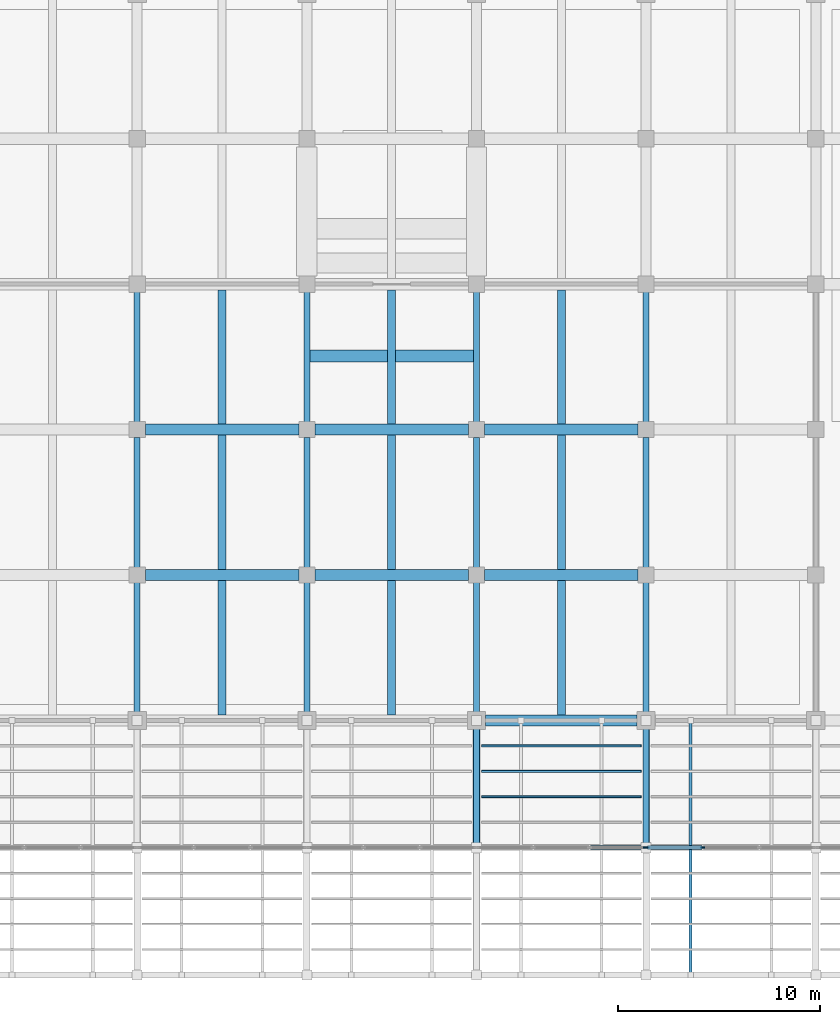
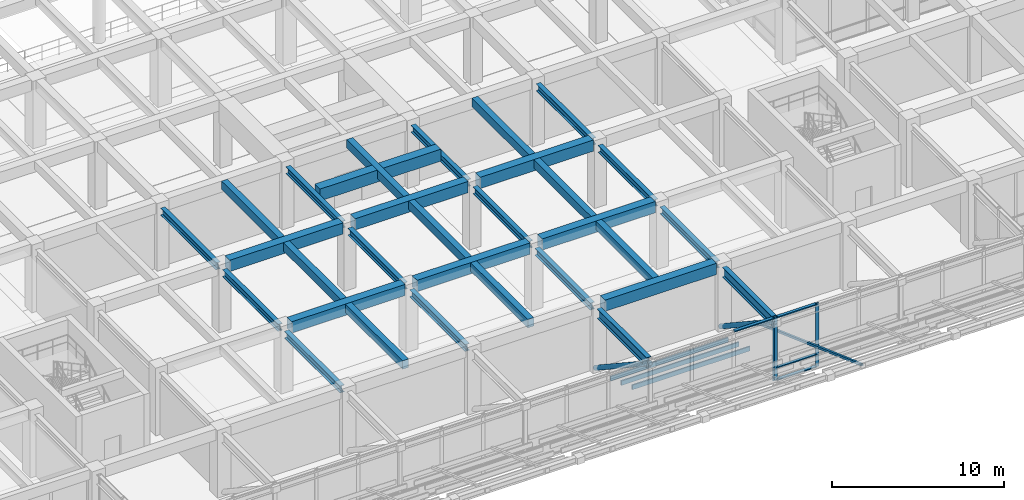
# One storey, part 12 of 52: 31 beams, 13 members, 2 elements without a shape of their own.
"""IFC4 building model written with IfcOpenShell, lengths in metres."""

from ifc_helpers import new_model, si_unit, direction, frame, origin, origin_2d, place, context, subcontext, project, spatial, rectangle, hollow_rectangle, hollow_circle, i_section, extrude, material, material_profile, profile_set, type_object, element, aggregate, save


model = new_model("IFC4")

# Units and contexts
model_context = context("Model", 3, precision=1e-05, world=origin(), true_north=direction((0.0, 1.0)))
body_context = subcontext(model_context, "Body", "Model", "MODEL_VIEW")
ifc_project = project(units=[si_unit("LENGTHUNIT", "METRE"), si_unit("AREAUNIT", "SQUARE_METRE"), si_unit("VOLUMEUNIT", "CUBIC_METRE"), si_unit("PLANEANGLEUNIT", "RADIAN"), si_unit("MASSUNIT", "GRAM", prefix="KILO")], contexts=[model_context])

# Site, building, storey
site_placement = place(None, origin())
site = spatial("IfcSite", under=ifc_project, at=site_placement, CompositionType="ELEMENT")
building_placement = place(site_placement, origin())
building = spatial("IfcBuilding", under=site, at=building_placement, Name="Kenerak Square Central Library", CompositionType="ELEMENT")
storey_placement = place(building_placement, frame((0.0, 0.0, 4.800048828125)))
storey = spatial("IfcBuildingStorey", under=building, at=storey_placement, Name="L01", CompositionType="ELEMENT", Elevation=4.800048828125)

# Beams
ifc_material_1 = material(Name="Steel S355", Category="steel")
ifc_material_profile_1 = material_profile(ifc_material_1, i_section(OverallWidth=0.300048828125, OverallDepth=0.5, WebThickness=0.014404296875, FlangeThickness=0.028076171875, FilletRadius=0.027099609375, at=origin_2d()), Name="HEB 500")
ifc_profile_set_1 = profile_set([ifc_material_profile_1], Name="Steel S355")
beam_type_1 = type_object("IfcBeamType", Name="Backspan Steel Girder SB-03 HEB 500 S355", PredefinedType="BEAM", material=ifc_profile_set_1)
for number, where, z_axis, x_axis, name in (
    (1, (75.199951171875, 17.179931640625, 4.14990234375), (0.0, 1.0, 0.0), (-1.0, 0.0, 0.0), "Overhang Backspan Tie Girder 3 L01 033"),
    (2, (75.199951171875, 24.3798828125, 4.14990234375), (0.0, 1.0, 0.0), (-1.0, 0.0, 0.0), "Overhang Backspan Tie Girder 3 L01 034"),
):
    element("IfcBeam", number, at=place(storey_placement, frame(where, z_axis=z_axis, x_axis=x_axis)), inside=storey, type_object=beam_type_1, Name=name, PredefinedType="BEAM", context=body_context, shape_type="SweptSolid", body=[
        extrude(i_section(OverallWidth=0.300048828125, OverallDepth=0.5, WebThickness=0.014404296875, FlangeThickness=0.028076171875, FilletRadius=0.027099609375, at=origin_2d()), origin(), (0.0, 0.0, 1.0), 6.440185546875),
    ])
beam_1_placement = place(storey_placement, frame((75.199951171875, 31.580078125, 4.14990234375), z_axis=(0.0, 1.0, 0.0), x_axis=(-1.0, 0.0, 0.0)))
element("IfcBeam", 3, at=beam_1_placement, inside=storey, type_object=beam_type_1, Name="Overhang Backspan Tie Girder 3 L01 035", PredefinedType="BEAM", context=body_context, shape_type="SweptSolid", body=[
    extrude(i_section(OverallWidth=0.300048828125, OverallDepth=0.5, WebThickness=0.014404296875, FlangeThickness=0.028076171875, FilletRadius=0.027099609375, at=origin_2d()), origin(), (0.0, 0.0, 1.0), 6.43994140625),
])
for number, where, z_axis, x_axis, name in (
    (4, (83.60009765625, 17.179931640625, 4.14990234375), (0.0, 1.0, 0.0), (-1.0, 0.0, 0.0), "Overhang Backspan Tie Girder 4 L01 049"),
    (5, (83.60009765625, 24.3798828125, 4.14990234375), (0.0, 1.0, 0.0), (-1.0, 0.0, 0.0), "Overhang Backspan Tie Girder 4 L01 050"),
):
    element("IfcBeam", number, at=place(storey_placement, frame(where, z_axis=z_axis, x_axis=x_axis)), inside=storey, type_object=beam_type_1, Name=name, PredefinedType="BEAM", context=body_context, shape_type="SweptSolid", body=[
        extrude(i_section(OverallWidth=0.300048828125, OverallDepth=0.5, WebThickness=0.014404296875, FlangeThickness=0.028076171875, FilletRadius=0.027099609375, at=origin_2d()), origin(), (0.0, 0.0, 1.0), 6.440185546875),
    ])
beam_2_placement = place(storey_placement, frame((83.60009765625, 31.580078125, 4.14990234375), z_axis=(0.0, 1.0, 0.0), x_axis=(-1.0, 0.0, 0.0)))
element("IfcBeam", 6, at=beam_2_placement, inside=storey, type_object=beam_type_1, Name="Overhang Backspan Tie Girder 4 L01 051", PredefinedType="BEAM", context=body_context, shape_type="SweptSolid", body=[
    extrude(i_section(OverallWidth=0.300048828125, OverallDepth=0.5, WebThickness=0.014404296875, FlangeThickness=0.028076171875, FilletRadius=0.027099609375, at=origin_2d()), origin(), (0.0, 0.0, 1.0), 6.43994140625),
])
for number, where, z_axis, x_axis, name in (
    (7, (92.0, 17.179931640625, 4.14990234375), (0.0, 1.0, 0.0), (-1.0, 0.0, 0.0), "Overhang Backspan Tie Girder 5 L01 065"),
    (8, (92.0, 24.3798828125, 4.14990234375), (0.0, 1.0, 0.0), (-1.0, 0.0, 0.0), "Overhang Backspan Tie Girder 5 L01 066"),
):
    element("IfcBeam", number, at=place(storey_placement, frame(where, z_axis=z_axis, x_axis=x_axis)), inside=storey, type_object=beam_type_1, Name=name, PredefinedType="BEAM", context=body_context, shape_type="SweptSolid", body=[
        extrude(i_section(OverallWidth=0.300048828125, OverallDepth=0.5, WebThickness=0.014404296875, FlangeThickness=0.028076171875, FilletRadius=0.027099609375, at=origin_2d()), origin(), (0.0, 0.0, 1.0), 6.440185546875),
    ])
beam_3_placement = place(storey_placement, frame((92.0, 31.580078125, 4.14990234375), z_axis=(0.0, 1.0, 0.0), x_axis=(-1.0, 0.0, 0.0)))
element("IfcBeam", 9, at=beam_3_placement, inside=storey, type_object=beam_type_1, Name="Overhang Backspan Tie Girder 5 L01 067", PredefinedType="BEAM", context=body_context, shape_type="SweptSolid", body=[
    extrude(i_section(OverallWidth=0.300048828125, OverallDepth=0.5, WebThickness=0.014404296875, FlangeThickness=0.028076171875, FilletRadius=0.027099609375, at=origin_2d()), origin(), (0.0, 0.0, 1.0), 6.43994140625),
])
for number, where, z_axis, x_axis, name in (
    (10, (100.39990234375, 17.179931640625, 4.14990234375), (0.0, 1.0, 0.0), (-1.0, 0.0, 0.0), "Overhang Backspan Tie Girder 6 L01 081"),
    (11, (100.39990234375, 24.3798828125, 4.14990234375), (0.0, 1.0, 0.0), (-1.0, 0.0, 0.0), "Overhang Backspan Tie Girder 6 L01 082"),
):
    element("IfcBeam", number, at=place(storey_placement, frame(where, z_axis=z_axis, x_axis=x_axis)), inside=storey, type_object=beam_type_1, Name=name, PredefinedType="BEAM", context=body_context, shape_type="SweptSolid", body=[
        extrude(i_section(OverallWidth=0.300048828125, OverallDepth=0.5, WebThickness=0.014404296875, FlangeThickness=0.028076171875, FilletRadius=0.027099609375, at=origin_2d()), origin(), (0.0, 0.0, 1.0), 6.440185546875),
    ])
beam_4_placement = place(storey_placement, frame((100.39990234375, 31.580078125, 4.14990234375), z_axis=(0.0, 1.0, 0.0), x_axis=(-1.0, 0.0, 0.0)))
element("IfcBeam", 12, at=beam_4_placement, inside=storey, type_object=beam_type_1, Name="Overhang Backspan Tie Girder 6 L01 083", PredefinedType="BEAM", context=body_context, shape_type="SweptSolid", body=[
    extrude(i_section(OverallWidth=0.300048828125, OverallDepth=0.5, WebThickness=0.014404296875, FlangeThickness=0.028076171875, FilletRadius=0.027099609375, at=origin_2d()), origin(), (0.0, 0.0, 1.0), 6.43994140625),
])

# Members
ifc_material_2 = material(Name="Chengal hardwood timber SG1", Category="wood")
ifc_material_profile_2 = material_profile(ifc_material_2, rectangle(XDim=0.090087890625, YDim=0.320068359375, at=origin_2d()), Name="CHENGAL 90x320")
ifc_profile_set_2 = profile_set([ifc_material_profile_2], Name="Chengal hardwood timber SG1")
member_type_1 = type_object("IfcMemberType", Name="Chengal Timber Louvre Blade CL-01 90x320", PredefinedType="USERDEFINED", material=ifc_profile_set_2)
for number, where, z_axis, x_axis, name in (
    (13, (92.25, 15.5400390625, -0.0849609375), (1.0, 0.0, 0.0), (0.0, 1.0, 0.0), "Chengal Soffit Louvre Blade CL-01 0047"),
    (14, (92.25, 14.280029296875, 0.369873046875), (1.0, 0.0, 0.0), (0.0, 1.0, 0.0), "Chengal Soffit Louvre Blade CL-01 0048"),
    (15, (92.25, 13.02001953125, 0.824951171875), (1.0, 0.0, 0.0), (0.0, 1.0, 0.0), "Chengal Soffit Louvre Blade CL-01 0049"),
):
    element("IfcMember", number, at=place(storey_placement, frame(where, z_axis=z_axis, x_axis=x_axis)), inside=storey, type_object=member_type_1, Name=name, ObjectType="LOUVRE BLADE", PredefinedType="USERDEFINED", context=body_context, shape_type="SweptSolid", body=[
        extrude(rectangle(XDim=0.090087890625, YDim=0.320068359375, at=origin_2d()), origin(), (0.0, 0.0, 1.0), 7.89990234375),
    ])

# Curtain wall, members
ifc_material_3 = material(Name="Anodised aluminium and solar-control low-E glazing", Category="aluminium")
curtain_wall_type = type_object("IfcCurtainWallType", Name="Curtain Wall CW-V1-84x45 8400x4500", PredefinedType="USERDEFINED", material=ifc_material_3)
curtain_wall_1_placement = place(storey_placement, origin())
curtain_wall_1 = element("IfcCurtainWall", 16, at=curtain_wall_1_placement, inside=storey, type_object=curtain_wall_type, Name="Curtain Wall CW-V1-84x45 L01 0049", ObjectType="CURTAIN WALL", PredefinedType="USERDEFINED")
ifc_material_4 = material(Name="Anodised aluminium 6063-T6", Category="aluminium")
ifc_material_profile_3 = material_profile(ifc_material_4, rectangle(XDim=0.074951171875, YDim=0.219970703125, at=origin_2d()), Name="AL MULLION 75x220")
ifc_profile_set_3 = profile_set([ifc_material_profile_3], Name="Anodised aluminium 6063-T6")
member_type_2 = type_object("IfcMemberType", Name="Curtain Mullion CM-02 75x220", PredefinedType="MULLION", material=ifc_profile_set_3)
member_1_placement = place(storey_placement, frame((103.199951171875, 10.5, 0.0), z_axis=(0.0, 0.0, 1.0), x_axis=(0.0, -1.0, 0.0)))
member_1 = element("IfcMember", 17, at=member_1_placement, type_object=member_type_2, Name="CW-V1-84x45 Mullion 3", PredefinedType="MULLION", context=body_context, shape_type="SweptSolid", body=[
    extrude(rectangle(XDim=0.074951171875, YDim=0.219970703125, at=origin_2d()), origin(), (0.0, 0.0, 1.0), 4.5),
])
member_2_placement = place(storey_placement, frame((100.4375, 10.5, 0.0), z_axis=(0.0, 0.0, 1.0), x_axis=(0.0, -1.0, 0.0)))
member_2 = element("IfcMember", 18, at=member_2_placement, type_object=member_type_2, Name="CW-V1-84x45 Mullion 4", PredefinedType="MULLION", context=body_context, shape_type="SweptSolid", body=[
    extrude(rectangle(XDim=0.074951171875, YDim=0.219970703125, at=origin_2d()), origin(), (0.0, 0.0, 1.0), 4.5),
])

# Curtain wall, member
curtain_wall_2_placement = place(storey_placement, origin())
curtain_wall_2 = element("IfcCurtainWall", 19, at=curtain_wall_2_placement, inside=storey, type_object=curtain_wall_type, Name="Curtain Wall CW-V1-84x45 L01 0050", ObjectType="CURTAIN WALL", PredefinedType="USERDEFINED")
member_3_placement = place(storey_placement, frame((100.362548828125, 10.5, 0.0), z_axis=(0.0, 0.0, 1.0), x_axis=(0.0, -1.0, 0.0)))
member_3 = element("IfcMember", 20, at=member_3_placement, type_object=member_type_2, Name="CW-V1-84x45 Mullion 1", PredefinedType="MULLION", context=body_context, shape_type="SweptSolid", body=[
    extrude(rectangle(XDim=0.074951171875, YDim=0.219970703125, at=origin_2d()), origin(), (0.0, 0.0, 1.0), 4.5),
])

# Member
ifc_material_profile_4 = material_profile(ifc_material_4, rectangle(XDim=0.199951171875, YDim=0.074951171875, at=origin_2d()), Name="AL TRANSOM 200x75")
ifc_profile_set_4 = profile_set([ifc_material_profile_4], Name="Anodised aluminium 6063-T6")
member_type_3 = type_object("IfcMemberType", Name="Curtain Transom CT-12 200x75", PredefinedType="USERDEFINED", material=ifc_profile_set_4)
member_4_placement = place(storey_placement, frame((103.16259765625, 10.5, 0.037353515625), z_axis=(-1.0, 0.0, 0.0), x_axis=(0.0, -1.0, 0.0)))
member_4 = element("IfcMember", 21, at=member_4_placement, type_object=member_type_3, Name="CW-V1-84x45 Transom 3.1", ObjectType="TRANSOM", PredefinedType="USERDEFINED", context=body_context, shape_type="SweptSolid", body=[
    extrude(rectangle(XDim=0.199951171875, YDim=0.074951171875, at=origin_2d()), origin(), (0.0, 0.0, 1.0), 2.6875),
])

member_5_placement = place(storey_placement, frame((103.16259765625, 10.5, 0.89990234375), z_axis=(-1.0, 0.0, 0.0), x_axis=(0.0, -1.0, 0.0)))
member_5 = element("IfcMember", 22, at=member_5_placement, type_object=member_type_3, Name="CW-V1-84x45 Transom 3.2", ObjectType="TRANSOM", PredefinedType="USERDEFINED", context=body_context, shape_type="SweptSolid", body=[
    extrude(rectangle(XDim=0.199951171875, YDim=0.074951171875, at=origin_2d()), origin(), (0.0, 0.0, 1.0), 2.6875),
])

member_6_placement = place(storey_placement, frame((103.16259765625, 10.5, 4.46240234375), z_axis=(-1.0, 0.0, 0.0), x_axis=(0.0, -1.0, 0.0)))
member_6 = element("IfcMember", 23, at=member_6_placement, type_object=member_type_3, Name="CW-V1-84x45 Transom 3.3", ObjectType="TRANSOM", PredefinedType="USERDEFINED", context=body_context, shape_type="SweptSolid", body=[
    extrude(rectangle(XDim=0.199951171875, YDim=0.074951171875, at=origin_2d()), origin(), (0.0, 0.0, 1.0), 2.6875),
])

aggregate(curtain_wall_1, [member_1, member_2, member_4, member_5, member_6])

member_7_placement = place(storey_placement, frame((100.324951171875, 10.5, 4.46240234375), z_axis=(-1.0, 0.0, 0.0), x_axis=(0.0, -1.0, 0.0)))
member_7 = element("IfcMember", 24, at=member_7_placement, type_object=member_type_3, Name="CW-V1-84x45 Transom 1.3", ObjectType="TRANSOM", PredefinedType="USERDEFINED", context=body_context, shape_type="SweptSolid", body=[
    extrude(rectangle(XDim=0.199951171875, YDim=0.074951171875, at=origin_2d()), origin(), (0.0, 0.0, 1.0), 2.6875),
])

aggregate(curtain_wall_2, [member_3, member_7])

# Beams
ifc_material_profile_5 = material_profile(ifc_material_1, i_section(OverallWidth=0.300048828125, OverallDepth=0.699951171875, WebThickness=0.01708984375, FlangeThickness=0.031982421875, FilletRadius=0.027099609375, at=origin_2d()), Name="HEB 700")
ifc_profile_set_5 = profile_set([ifc_material_profile_5], Name="Steel S355")
beam_type_2 = type_object("IfcBeamType", Name="Overhang Truss Top Chord SB-01 HEB 700 S355", PredefinedType="BEAM", material=ifc_profile_set_5)
for number, where, z_axis, x_axis, name in (
    (25, (92.0, 10.6201171875, 4.14990234375), (0.0, 1.0, 0.0), (-1.0, 0.0, 0.0), "Wall-Truss Chord 5 L01 068"),
    (26, (100.39990234375, 10.6201171875, 4.14990234375), (0.0, 1.0, 0.0), (-1.0, 0.0, 0.0), "Wall-Truss Chord 6 L01 084"),
):
    element("IfcBeam", number, at=place(storey_placement, frame(where, z_axis=z_axis, x_axis=x_axis)), inside=storey, type_object=beam_type_2, Name=name, PredefinedType="BEAM", context=body_context, shape_type="SweptSolid", body=[
        extrude(i_section(OverallWidth=0.300048828125, OverallDepth=0.699951171875, WebThickness=0.01708984375, FlangeThickness=0.031982421875, FilletRadius=0.027099609375, at=origin_2d()), origin(), (0.0, 0.0, 1.0), 5.77978515625),
    ])
ifc_material_5 = material(Name="Concrete C40/50", Category="concrete")
ifc_material_profile_6 = material_profile(ifc_material_5, rectangle(XDim=0.60009765625, YDim=0.85009765625, at=origin_2d()), Name="RC 600x850")
ifc_profile_set_6 = profile_set([ifc_material_profile_6], Name="Concrete C40/50")
beam_type_3 = type_object("IfcBeamType", Name="Primary Hall Girder B-03 RC 600x850 C40/50", PredefinedType="BEAM", material=ifc_profile_set_6)
beam_5_placement = place(storey_placement, frame((83.75, 34.85009765625, 4.375), z_axis=(1.0, 0.0, 0.0), x_axis=(0.0, 1.0, 0.0)))
element("IfcBeam", 27, at=beam_5_placement, inside=storey, type_object=beam_type_3, Name="Feature Stair ST-F2 Threshold Girder B-03", PredefinedType="BEAM", context=body_context, shape_type="SweptSolid", body=[
    extrude(rectangle(XDim=0.60009765625, YDim=0.85009765625, at=origin_2d()), origin(), (0.0, 0.0, 1.0), 8.10009765625),
])
ifc_material_profile_7 = material_profile(ifc_material_5, rectangle(XDim=0.550048828125, YDim=0.800048828125, at=origin_2d()), Name="RC 550x800")
ifc_profile_set_7 = profile_set([ifc_material_profile_7], Name="Concrete C40/50")
beam_type_4 = type_object("IfcBeamType", Name="Primary Reading Beam B-04 RC 550x800 C40/50", PredefinedType="BEAM", material=ifc_profile_set_7)
beam_6_placement = place(storey_placement, frame((92.449951171875, 16.800048828125, 4.39990234375), z_axis=(1.0, 0.0, 0.0), x_axis=(0.0, 1.0, 0.0)))
element("IfcBeam", 28, at=beam_6_placement, inside=storey, type_object=beam_type_4, Name="Beam B-04 L01 0865", PredefinedType="BEAM", context=body_context, shape_type="SweptSolid", body=[
    extrude(rectangle(XDim=0.550048828125, YDim=0.800048828125, at=origin_2d()), origin(), (0.0, 0.0, 1.0), 7.5),
])
beam_7_placement = place(storey_placement, frame((75.60009765625, 24.0, 4.39990234375), z_axis=(1.0, 0.0, 0.0), x_axis=(0.0, 1.0, 0.0)))
element("IfcBeam", 29, at=beam_7_placement, inside=storey, type_object=beam_type_4, Name="Beam B-04 L01 0875", PredefinedType="BEAM", context=body_context, shape_type="SweptSolid", body=[
    extrude(rectangle(XDim=0.550048828125, YDim=0.800048828125, at=origin_2d()), origin(), (0.0, 0.0, 1.0), 7.599853515625),
])
for number, where, z_axis, x_axis, name in (
    (30, (84.0, 24.0, 4.39990234375), (1.0, 0.0, 0.0), (0.0, 1.0, 0.0), "Beam B-04 L01 0876"),
    (31, (92.39990234375, 24.0, 4.39990234375), (1.0, 0.0, 0.0), (0.0, 1.0, 0.0), "Beam B-04 L01 0877"),
):
    element("IfcBeam", number, at=place(storey_placement, frame(where, z_axis=z_axis, x_axis=x_axis)), inside=storey, type_object=beam_type_4, Name=name, PredefinedType="BEAM", context=body_context, shape_type="SweptSolid", body=[
        extrude(rectangle(XDim=0.550048828125, YDim=0.800048828125, at=origin_2d()), origin(), (0.0, 0.0, 1.0), 7.60009765625),
    ])
beam_8_placement = place(storey_placement, frame((75.60009765625, 31.199951171875, 4.39990234375), z_axis=(1.0, 0.0, 0.0), x_axis=(0.0, 1.0, 0.0)))
element("IfcBeam", 32, at=beam_8_placement, inside=storey, type_object=beam_type_4, Name="Beam B-04 L01 0889", PredefinedType="BEAM", context=body_context, shape_type="SweptSolid", body=[
    extrude(rectangle(XDim=0.550048828125, YDim=0.800048828125, at=origin_2d()), origin(), (0.0, 0.0, 1.0), 7.599853515625),
])
for number, where, z_axis, x_axis, name in (
    (33, (84.0, 31.199951171875, 4.39990234375), (1.0, 0.0, 0.0), (0.0, 1.0, 0.0), "Beam B-04 L01 0890"),
    (34, (92.39990234375, 31.199951171875, 4.39990234375), (1.0, 0.0, 0.0), (0.0, 1.0, 0.0), "Beam B-04 L01 0891"),
):
    element("IfcBeam", number, at=place(storey_placement, frame(where, z_axis=z_axis, x_axis=x_axis)), inside=storey, type_object=beam_type_4, Name=name, PredefinedType="BEAM", context=body_context, shape_type="SweptSolid", body=[
        extrude(rectangle(XDim=0.550048828125, YDim=0.800048828125, at=origin_2d()), origin(), (0.0, 0.0, 1.0), 7.60009765625),
    ])

# Members
ifc_material_profile_8 = material_profile(ifc_material_1, hollow_circle(Radius=0.161865234375, WallThickness=0.012451171875, at=origin_2d()), Name="CHS 323.9x12.5")
ifc_profile_set_8 = profile_set([ifc_material_profile_8], Name="Steel S355")
member_type_4 = type_object("IfcMemberType", Name="Raking Overhang Strut RK-01 CHS 323.9x12.5 S355", PredefinedType="STRUT", material=ifc_profile_set_8)
for number, where, z_axis, x_axis, name in (
    (35, (92.0, 16.800048828125, 0.0), (0.0, -0.835104509682, 0.55009131779), (1.0, 0.0, 0.0), "Raking Inner Strut RK-01 5"),
    (36, (100.39990234375, 16.800048828125, 0.0), (0.0, -0.835104509682, 0.55009131779), (1.0, 0.0, 0.0), "Raking Inner Strut RK-01 6"),
):
    element("IfcMember", number, at=place(storey_placement, frame(where, z_axis=z_axis, x_axis=x_axis)), inside=storey, type_object=member_type_4, Name=name, PredefinedType="STRUT", context=body_context, shape_type="SweptSolid", body=[
        extrude(hollow_circle(Radius=0.161865234375, WallThickness=0.012451171875, at=origin_2d()), origin(), (0.0, 0.0, 1.0), 7.5439453125),
    ])

# Beams
ifc_material_profile_9 = material_profile(ifc_material_5, rectangle(XDim=0.39990234375, YDim=0.60009765625, at=origin_2d()), Name="RC 400x600")
ifc_profile_set_9 = profile_set([ifc_material_profile_9], Name="Concrete C40/50")
beam_type_5 = type_object("IfcBeamType", Name="Secondary Floor Joist J-01 RC 400x600 C40/50", PredefinedType="JOIST", material=ifc_profile_set_9)
for number, where, z_axis, x_axis, name in (
    (37, (79.39990234375, 17.074951171875, 4.5), (0.0, 1.0, 0.0), (-1.0, 0.0, 0.0), "Joist J-01 L01 1122"),
    (38, (79.39990234375, 24.27490234375, 4.5), (0.0, 1.0, 0.0), (-1.0, 0.0, 0.0), "Joist J-01 L01 1123"),
):
    element("IfcBeam", number, at=place(storey_placement, frame(where, z_axis=z_axis, x_axis=x_axis)), inside=storey, type_object=beam_type_5, Name=name, PredefinedType="JOIST", context=body_context, shape_type="SweptSolid", body=[
        extrude(rectangle(XDim=0.39990234375, YDim=0.60009765625, at=origin_2d()), origin(), (0.0, 0.0, 1.0), 6.650146484375),
    ])
beam_9_placement = place(storey_placement, frame((79.39990234375, 31.47509765625, 4.5), z_axis=(0.0, 1.0, 0.0), x_axis=(-1.0, 0.0, 0.0)))
element("IfcBeam", 39, at=beam_9_placement, inside=storey, type_object=beam_type_5, Name="Joist J-01 L01 1124", PredefinedType="JOIST", context=body_context, shape_type="SweptSolid", body=[
    extrude(rectangle(XDim=0.39990234375, YDim=0.60009765625, at=origin_2d()), origin(), (0.0, 0.0, 1.0), 6.64990234375),
])
for number, where, z_axis, x_axis, name in (
    (40, (87.800048828125, 17.074951171875, 4.5), (0.0, 1.0, 0.0), (-1.0, 0.0, 0.0), "Joist J-01 L01 1133"),
    (41, (87.800048828125, 24.27490234375, 4.5), (0.0, 1.0, 0.0), (-1.0, 0.0, 0.0), "Joist J-01 L01 1134"),
):
    element("IfcBeam", number, at=place(storey_placement, frame(where, z_axis=z_axis, x_axis=x_axis)), inside=storey, type_object=beam_type_5, Name=name, PredefinedType="JOIST", context=body_context, shape_type="SweptSolid", body=[
        extrude(rectangle(XDim=0.39990234375, YDim=0.60009765625, at=origin_2d()), origin(), (0.0, 0.0, 1.0), 6.650146484375),
    ])
beam_10_placement = place(storey_placement, frame((87.800048828125, 31.47509765625, 4.5), z_axis=(0.0, 1.0, 0.0), x_axis=(-1.0, 0.0, 0.0)))
element("IfcBeam", 42, at=beam_10_placement, inside=storey, type_object=beam_type_5, Name="Joist J-01 L01 1135", PredefinedType="JOIST", context=body_context, shape_type="SweptSolid", body=[
    extrude(rectangle(XDim=0.39990234375, YDim=0.60009765625, at=origin_2d()), origin(), (0.0, 0.0, 1.0), 6.64990234375),
])
for number, where, z_axis, x_axis, name in (
    (43, (96.199951171875, 17.074951171875, 4.5), (0.0, 1.0, 0.0), (-1.0, 0.0, 0.0), "Joist J-01 L01 1142"),
    (44, (96.199951171875, 24.27490234375, 4.5), (0.0, 1.0, 0.0), (-1.0, 0.0, 0.0), "Joist J-01 L01 1143"),
):
    element("IfcBeam", number, at=place(storey_placement, frame(where, z_axis=z_axis, x_axis=x_axis)), inside=storey, type_object=beam_type_5, Name=name, PredefinedType="JOIST", context=body_context, shape_type="SweptSolid", body=[
        extrude(rectangle(XDim=0.39990234375, YDim=0.60009765625, at=origin_2d()), origin(), (0.0, 0.0, 1.0), 6.650146484375),
    ])
beam_11_placement = place(storey_placement, frame((96.199951171875, 31.47509765625, 4.5), z_axis=(0.0, 1.0, 0.0), x_axis=(-1.0, 0.0, 0.0)))
element("IfcBeam", 45, at=beam_11_placement, inside=storey, type_object=beam_type_5, Name="Joist J-01 L01 1144", PredefinedType="JOIST", context=body_context, shape_type="SweptSolid", body=[
    extrude(rectangle(XDim=0.39990234375, YDim=0.60009765625, at=origin_2d()), origin(), (0.0, 0.0, 1.0), 6.64990234375),
])

# Member
ifc_material_profile_10 = material_profile(ifc_material_1, hollow_rectangle(XDim=0.14990234375, YDim=0.14990234375, WallThickness=0.008056640625, at=origin_2d()), Name="SHS 150x150x8.0")
ifc_profile_set_10 = profile_set([ifc_material_profile_10], Name="Steel S355")
member_type_5 = type_object("IfcMemberType", Name="Soffit Subframe Strut TM-05 SHS 150x150x8 S355", PredefinedType="STRUT", material=ifc_profile_set_10)
member_8_placement = place(storey_placement, frame((102.60009765625, 16.800048828125, -0.400146484375), z_axis=(0.0, -0.940553576257, 0.33964535944), x_axis=(1.0, 0.0, 0.0)))
element("IfcMember", 46, at=member_8_placement, inside=storey, type_object=member_type_5, Name="Soffit Subframe Strut TM-05 0056", PredefinedType="STRUT", context=body_context, shape_type="SweptSolid", body=[
    extrude(hollow_rectangle(XDim=0.14990234375, YDim=0.14990234375, WallThickness=0.008056640625, at=origin_2d()), origin(), (0.0, 0.0, 1.0), 13.396484375),
])

save(model, "model.ifc")
